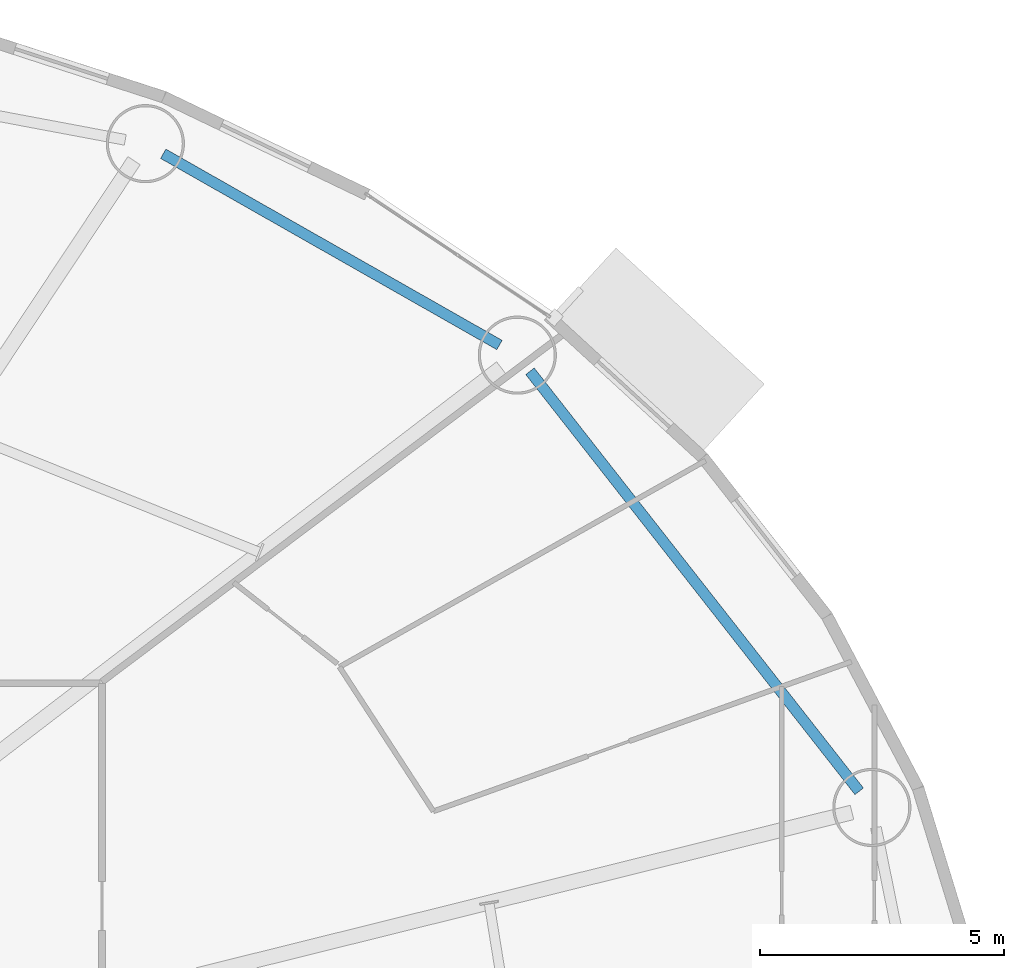
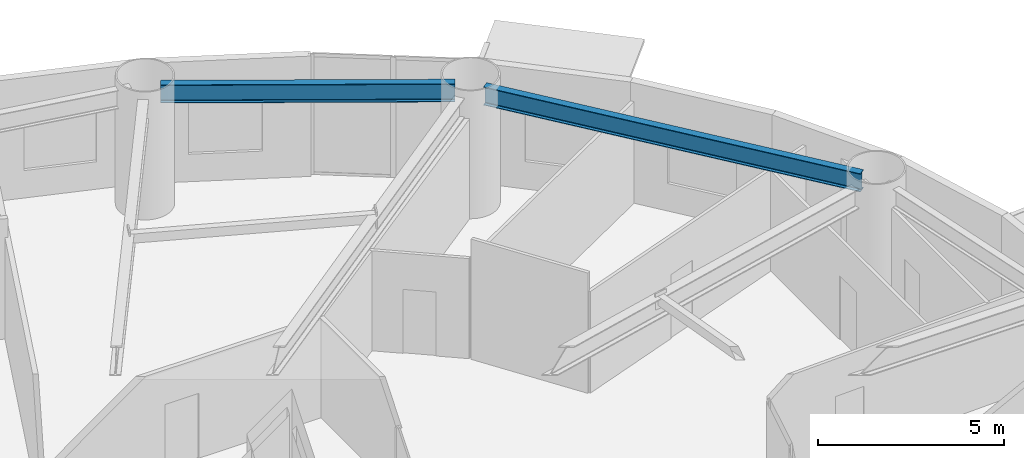
# One storey, part 4 of 24: 2 beams.
"""IFC4 building model written with IfcOpenShell, lengths in metres."""

from ifc_helpers import new_model, si_unit, direction, frame, origin, origin_2d, place, context, subcontext, project, spatial, i_section, extrude, material, material_profile, profile_set, type_object, element, save


model = new_model("IFC4")

# Units and contexts
model_context = context("Model", 3, precision=1e-05, world=origin(), true_north=direction((0.0, 1.0)))
body_context = subcontext(model_context, "Body", "Model", "MODEL_VIEW")
ifc_project = project(units=[si_unit("LENGTHUNIT", "METRE"), si_unit("AREAUNIT", "SQUARE_METRE"), si_unit("VOLUMEUNIT", "CUBIC_METRE"), si_unit("PLANEANGLEUNIT", "RADIAN"), si_unit("MASSUNIT", "GRAM", prefix="KILO")], contexts=[model_context])

# Site, building, storey
site_placement = place(None, origin())
site = spatial("IfcSite", under=ifc_project, at=site_placement, CompositionType="ELEMENT")
building_placement = place(site_placement, origin())
building = spatial("IfcBuilding", under=site, at=building_placement, Name="Linh Dai School and Residence Tower", CompositionType="ELEMENT")
storey_placement = place(building_placement, frame((0.0, 0.0, 74.39990234375)))
storey = spatial("IfcBuildingStorey", under=building, at=storey_placement, Name="L17", CompositionType="ELEMENT", Elevation=74.39990234375)

# Beams
ifc_material = material(Name="Structural Steel S355JR", Category="steel")
ifc_material_profile = material_profile(ifc_material, i_section(OverallWidth=0.219970703125, OverallDepth=0.60009765625, WebThickness=0.011962890625, FlangeThickness=0.01904296875, FilletRadius=0.02392578125, at=origin_2d()), Name="IPE 600")
ifc_profile_set = profile_set([ifc_material_profile], Name="Structural Steel S355JR")
beam_type = type_object("IfcBeamType", Name="BM-RB60", PredefinedType="BEAM", material=ifc_profile_set)
beam_1_placement = place(storey_placement, frame((64.351806640625, 34.439208984375, 3.650146484375), z_axis=(-0.616878670407, 0.787058260866, 0.0), x_axis=(-0.787058260866, -0.616878670407, 0.0)))
element("IfcBeam", 1, at=beam_1_placement, inside=storey, type_object=beam_type, Name="L17 Perimeter Elliptical Ring Beam 02", PredefinedType="BEAM", context=body_context, shape_type="SweptSolid", body=[
    extrude(i_section(OverallWidth=0.219970703125, OverallDepth=0.60009765625, WebThickness=0.011962890625, FlangeThickness=0.01904296875, FilletRadius=0.02392578125, at=origin_2d()), origin(), (0.0, 0.0, 1.0), 10.926025390625),
])
beam_2_placement = place(storey_placement, frame((56.987548828125, 43.57666015625, 3.650146484375), z_axis=(-0.869271416992, 0.494335112653, 0.0), x_axis=(-0.494335112653, -0.869271416992, 0.0)))
element("IfcBeam", 2, at=beam_2_placement, inside=storey, type_object=beam_type, Name="L17 Perimeter Elliptical Ring Beam 03", PredefinedType="BEAM", context=body_context, shape_type="SweptSolid", body=[
    extrude(i_section(OverallWidth=0.219970703125, OverallDepth=0.60009765625, WebThickness=0.011962890625, FlangeThickness=0.01904296875, FilletRadius=0.02392578125, at=origin_2d()), origin(), (0.0, 0.0, 1.0), 7.91943359375),
])

save(model, "model.ifc")
